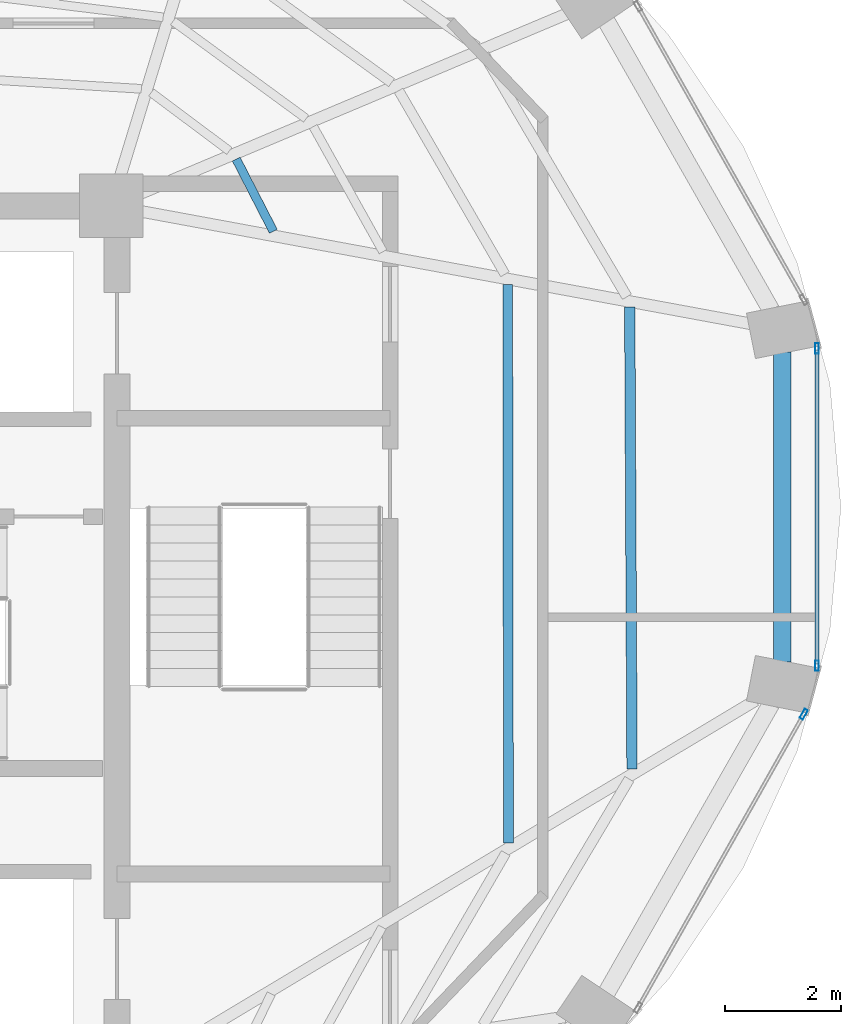
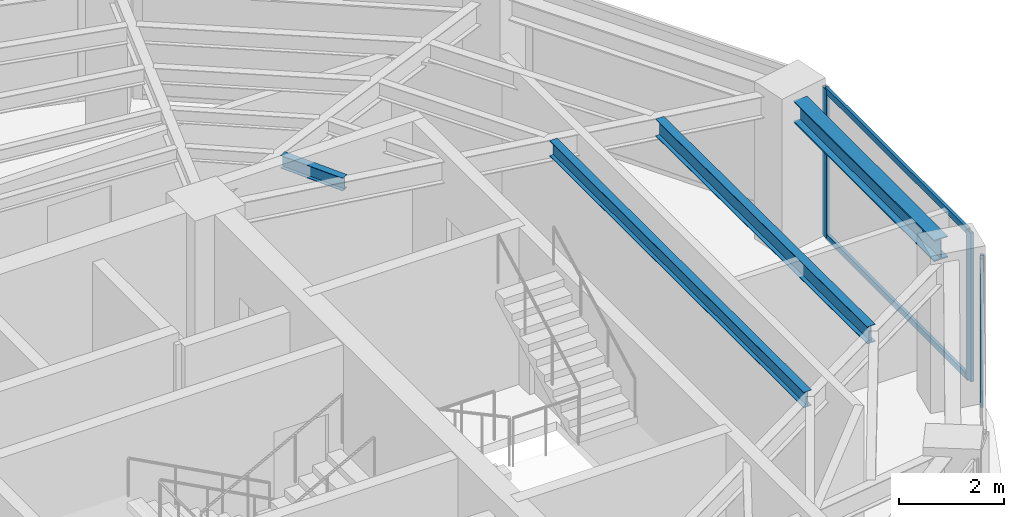
# One storey, part 14 of 22: 5 members, 4 beams, 2 elements without a shape of their own.
"""IFC4 building model written with IfcOpenShell, lengths in metres."""

from ifc_helpers import new_model, si_unit, direction, frame, origin, origin_2d, place, context, subcontext, project, spatial, hollow_rectangle, i_section, extrude, material, layer, layer_set, material_profile, profile_set, type_object, element, aggregate, save


model = new_model("IFC4")

# Units and contexts
model_context = context("Model", 3, precision=1e-05, world=origin(), true_north=direction((0.0, 1.0)))
body_context = subcontext(model_context, "Body", "Model", "MODEL_VIEW")
ifc_project = project(units=[si_unit("LENGTHUNIT", "METRE"), si_unit("AREAUNIT", "SQUARE_METRE"), si_unit("VOLUMEUNIT", "CUBIC_METRE"), si_unit("PLANEANGLEUNIT", "RADIAN"), si_unit("MASSUNIT", "GRAM", prefix="KILO")], contexts=[model_context])

# Site, building, storey
site_placement = place(None, origin())
site = spatial("IfcSite", under=ifc_project, at=site_placement, CompositionType="ELEMENT")
building_placement = place(site_placement, origin())
building = spatial("IfcBuilding", under=site, at=building_placement, Name="Lazwardi Medical Tower", CompositionType="ELEMENT")
storey_placement = place(building_placement, frame((0.0, 0.0, 255.02392578125)))
storey = spatial("IfcBuildingStorey", under=building, at=storey_placement, Name="L66", CompositionType="ELEMENT", Elevation=255.02392578125)

# Beams
ifc_material_1 = material(Name="Steel S355", Category="steel")
ifc_material_profile_1 = material_profile(ifc_material_1, i_section(OverallWidth=0.300048828125, OverallDepth=0.5, WebThickness=0.014404296875, FlangeThickness=0.028076171875, at=origin_2d()), Name="HEB 500")
ifc_profile_set_1 = profile_set([ifc_material_profile_1], Name="Steel S355")
beam_type_1 = type_object("IfcBeamType", Name="BM-RB-Z4", PredefinedType="BEAM", material=ifc_profile_set_1)
beam_1_placement = place(storey_placement, frame((57.18505859375, 27.72705078125, 3.197998046875), z_axis=(0.0, 1.0, 0.0), x_axis=(-1.0, 0.0, 0.0)))
element("IfcBeam", 1, at=beam_1_placement, inside=storey, type_object=beam_type_1, Name="Ring beam RB-05 B04 L66", PredefinedType="BEAM", context=body_context, shape_type="SweptSolid", body=[
    extrude(i_section(OverallWidth=0.300048828125, OverallDepth=0.5, WebThickness=0.014404296875, FlangeThickness=0.028076171875, at=origin_2d()), origin(), (0.0, 0.0, 1.0), 5.345947265625),
])
ifc_material_profile_2 = material_profile(ifc_material_1, i_section(OverallWidth=0.179931640625, OverallDepth=0.39990234375, WebThickness=0.008544921875, FlangeThickness=0.013427734375, at=origin_2d()), Name="IPE 400")
ifc_profile_set_2 = profile_set([ifc_material_profile_2], Name="Steel S355")
beam_type_2 = type_object("IfcBeamType", Name="BM-SJ-01", PredefinedType="JOIST", material=ifc_profile_set_2)
beam_2_placement = place(storey_placement, frame((54.592041015625, 25.879638671875, 3.248046875), z_axis=(-0.004929366644, 0.999987850598, 0.0), x_axis=(-0.999987850598, -0.004929366644, 0.0)))
element("IfcBeam", 2, at=beam_2_placement, inside=storey, type_object=beam_type_2, Name="Secondary joist SJ-01 R1 B04 L66", PredefinedType="JOIST", context=body_context, shape_type="SweptSolid", body=[
    extrude(i_section(OverallWidth=0.179931640625, OverallDepth=0.39990234375, WebThickness=0.008544921875, FlangeThickness=0.013427734375, at=origin_2d()), origin(), (0.0, 0.0, 1.0), 7.973876953125),
])
ifc_material_profile_3 = material_profile(ifc_material_1, i_section(OverallWidth=0.169921875, OverallDepth=0.360107421875, WebThickness=0.008056640625, FlangeThickness=0.0126953125, at=origin_2d()), Name="IPE 360")
ifc_profile_set_3 = profile_set([ifc_material_profile_3], Name="Steel S355")
beam_type_3 = type_object("IfcBeamType", Name="BM-SJ-02", PredefinedType="JOIST", material=ifc_profile_set_3)
beam_3_placement = place(storey_placement, frame((52.458984375, 24.602294921875, 3.26806640625), z_axis=(-0.001367606673, 0.999999064826, 0.0), x_axis=(-0.999999064826, -0.001367606673, 0.0)))
element("IfcBeam", 3, at=beam_3_placement, inside=storey, type_object=beam_type_3, Name="Secondary joist SJ-02 R2 B04 L66", PredefinedType="JOIST", context=body_context, shape_type="SweptSolid", body=[
    extrude(i_section(OverallWidth=0.169921875, OverallDepth=0.360107421875, WebThickness=0.008056640625, FlangeThickness=0.0126953125, at=origin_2d()), origin(), (0.0, 0.0, 1.0), 9.639892578125),
])
ifc_material_profile_4 = material_profile(ifc_material_1, i_section(OverallWidth=0.14990234375, OverallDepth=0.300048828125, WebThickness=0.007080078125, FlangeThickness=0.0107421875, at=origin_2d()), Name="IPE 300")
ifc_profile_set_4 = profile_set([ifc_material_profile_4], Name="Steel S355")
beam_type_4 = type_object("IfcBeamType", Name="BM-SJ-03", PredefinedType="JOIST", material=ifc_profile_set_4)
beam_4_placement = place(storey_placement, frame((48.39990234375, 35.159912109375, 3.298095703125), z_axis=(-0.457285056668, 0.889320176848, 0.0), x_axis=(-0.889320176848, -0.457285056668, 0.0)))
element("IfcBeam", 4, at=beam_4_placement, inside=storey, type_object=beam_type_4, Name="Secondary joist SJ-03 R4 B05 L66", PredefinedType="JOIST", context=body_context, shape_type="SweptSolid", body=[
    extrude(i_section(OverallWidth=0.14990234375, OverallDepth=0.300048828125, WebThickness=0.007080078125, FlangeThickness=0.0107421875, at=origin_2d()), origin(), (0.0, 0.0, 1.0), 1.402099609375),
])

# Curtain wall, member
ifc_material_2 = material(Name="Anodised bronze aluminium and solar control glazing", Category="aluminium")
ifc_layer = layer(ifc_material_2, 0.18994140625)
ifc_layer_set = layer_set([ifc_layer], Name="Anodised bronze aluminium and solar control glazing")
curtain_wall_type = type_object("IfcCurtainWallType", Name="CW-SYS-04", PredefinedType="NOTDEFINED", material=ifc_layer_set)
curtain_wall_1_placement = place(storey_placement, origin())
curtain_wall_1 = element("IfcCurtainWall", 5, at=curtain_wall_1_placement, inside=storey, type_object=curtain_wall_type, Name="L66 Unitised bronze curtain wall CW-04", PredefinedType="NOTDEFINED")
ifc_material_3 = material(Name="Anodised bronze aluminium", Category="aluminium")
ifc_material_profile_5 = material_profile(ifc_material_3, hollow_rectangle(XDim=0.06494140625, YDim=0.179931640625, WallThickness=0.00390625, at=origin_2d()), Name="ALU-MULLION 180x65x4")
ifc_profile_set_5 = profile_set([ifc_material_profile_5], Name="Anodised bronze aluminium")
member_type_1 = type_object("IfcMemberType", Name="CW-MUL-03", PredefinedType="MULLION", material=ifc_profile_set_5)
member_1_placement = place(storey_placement, frame((57.557373046875, 26.82177734375, 0.0), z_axis=(0.0, 0.0, 1.0), x_axis=(-0.870651436011, 0.491900474661, 0.0)))
member_1 = element("IfcMember", 6, at=member_1_placement, type_object=member_type_1, Name="CW-04 mullion 2", PredefinedType="MULLION", context=body_context, shape_type="SweptSolid", body=[
    extrude(hollow_rectangle(XDim=0.06494140625, YDim=0.179931640625, WallThickness=0.00390625, at=origin_2d()), origin(), (0.0, 0.0, 1.0), 3.447998046875),
])
aggregate(curtain_wall_1, [member_1])

# Curtain wall, members
curtain_wall_2_placement = place(storey_placement, origin())
curtain_wall_2 = element("IfcCurtainWall", 7, at=curtain_wall_2_placement, inside=storey, type_object=curtain_wall_type, Name="L66 Unitised bronze curtain wall CW-04", PredefinedType="NOTDEFINED")
member_2_placement = place(storey_placement, frame((57.7841796875, 27.659423828125, 0.0), z_axis=(0.0, 0.0, 1.0), x_axis=(-1.0, 0.0, 0.0)))
member_2 = element("IfcMember", 8, at=member_2_placement, type_object=member_type_1, Name="CW-04 mullion 1", PredefinedType="MULLION", context=body_context, shape_type="SweptSolid", body=[
    extrude(hollow_rectangle(XDim=0.06494140625, YDim=0.179931640625, WallThickness=0.00390625, at=origin_2d()), origin(), (0.0, 0.0, 1.0), 3.447998046875),
])
member_3_placement = place(storey_placement, frame((57.7841796875, 33.140380859375, 0.0), z_axis=(0.0, 0.0, 1.0), x_axis=(-1.0, 0.0, 0.0)))
member_3 = element("IfcMember", 9, at=member_3_placement, type_object=member_type_1, Name="CW-04 mullion 2", PredefinedType="MULLION", context=body_context, shape_type="SweptSolid", body=[
    extrude(hollow_rectangle(XDim=0.06494140625, YDim=0.179931640625, WallThickness=0.00390625, at=origin_2d()), origin(), (0.0, 0.0, 1.0), 3.447998046875),
])
ifc_material_profile_6 = material_profile(ifc_material_3, hollow_rectangle(XDim=0.06494140625, YDim=0.139892578125, WallThickness=0.00341796875, at=origin_2d()), Name="ALU-TRANSOM 140x65x3.5")
ifc_profile_set_6 = profile_set([ifc_material_profile_6], Name="Anodised bronze aluminium")
member_type_2 = type_object("IfcMemberType", Name="CW-TRN-03", PredefinedType="USERDEFINED", material=ifc_profile_set_6)
member_4_placement = place(storey_placement, frame((57.7841796875, 27.69189453125, 0.032470703125), z_axis=(0.0, 1.0, 0.0), x_axis=(-1.0, 0.0, 0.0)))
member_4 = element("IfcMember", 10, at=member_4_placement, type_object=member_type_2, Name="CW-04 transom 1.1", ObjectType="TRANSOM", PredefinedType="USERDEFINED", context=body_context, shape_type="SweptSolid", body=[
    extrude(hollow_rectangle(XDim=0.06494140625, YDim=0.139892578125, WallThickness=0.00341796875, at=origin_2d()), origin(), (0.0, 0.0, 1.0), 5.416015625),
])
member_5_placement = place(storey_placement, frame((57.7841796875, 27.69189453125, 3.41552734375), z_axis=(0.0, 1.0, 0.0), x_axis=(-1.0, 0.0, 0.0)))
member_5 = element("IfcMember", 11, at=member_5_placement, type_object=member_type_2, Name="CW-04 transom 1.2", ObjectType="TRANSOM", PredefinedType="USERDEFINED", context=body_context, shape_type="SweptSolid", body=[
    extrude(hollow_rectangle(XDim=0.06494140625, YDim=0.139892578125, WallThickness=0.00341796875, at=origin_2d()), origin(), (0.0, 0.0, 1.0), 5.416015625),
])
aggregate(curtain_wall_2, [member_2, member_3, member_4, member_5])

save(model, "model.ifc")
